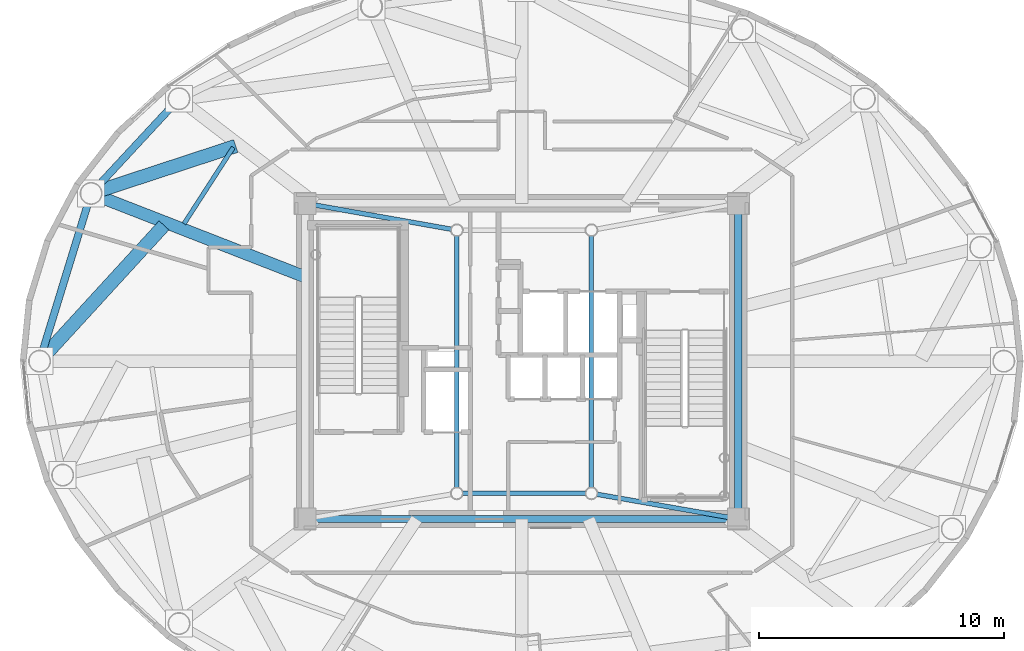
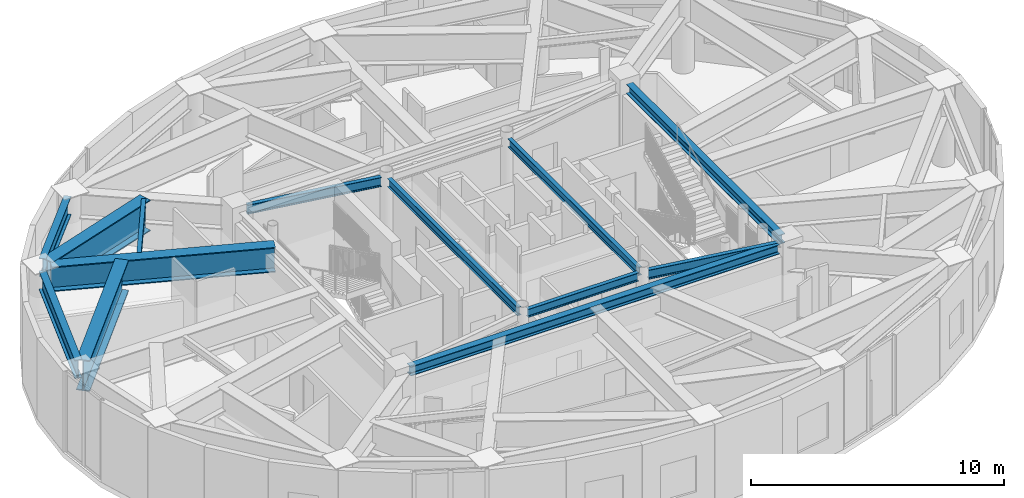
# One storey, part 7 of 23: 13 beams.
"""IFC4 building model written with IfcOpenShell, lengths in metres."""

from ifc_helpers import new_model, si_unit, direction, frame, origin, origin_2d, place, context, subcontext, project, spatial, i_section, extrude, material, material_profile, profile_set, type_object, element, save


model = new_model("IFC4")

# Units and contexts
model_context = context("Model", 3, precision=1e-05, world=origin(), true_north=direction((0.0, 1.0)))
body_context = subcontext(model_context, "Body", "Model", "MODEL_VIEW")
ifc_project = project(units=[si_unit("LENGTHUNIT", "METRE"), si_unit("AREAUNIT", "SQUARE_METRE"), si_unit("VOLUMEUNIT", "CUBIC_METRE"), si_unit("PLANEANGLEUNIT", "RADIAN"), si_unit("MASSUNIT", "GRAM", prefix="KILO")], contexts=[model_context])

# Site, building, storey
site_placement = place(None, origin())
site = spatial("IfcSite", under=ifc_project, at=site_placement, CompositionType="ELEMENT")
building_placement = place(site_placement, origin())
building = spatial("IfcBuilding", under=site, at=building_placement, Name="Linh Dai School and Residence Tower", CompositionType="ELEMENT")
storey_placement = place(building_placement, frame((0.0, 0.0, 359.39990234375)))
storey = spatial("IfcBuildingStorey", under=building, at=storey_placement, Name="L89", CompositionType="ELEMENT", Elevation=359.39990234375)

# Beams
ifc_material = material(Name="Structural Steel S355JR", Category="steel")
ifc_material_profile_1 = material_profile(ifc_material, i_section(OverallWidth=0.300048828125, OverallDepth=0.449951171875, WebThickness=0.013916015625, FlangeThickness=0.02587890625, FilletRadius=0.027099609375, at=origin_2d()), Name="HEB 450")
ifc_profile_set_1 = profile_set([ifc_material_profile_1], Name="Structural Steel S355JR")
beam_type_1 = type_object("IfcBeamType", Name="BM-RG45", PredefinedType="BEAM", material=ifc_profile_set_1)
beam_1_placement = place(storey_placement, frame((27.570068359375, 20.550048828125, 3.675048828125), z_axis=(1.0, 0.0, 0.0), x_axis=(0.0, 1.0, 0.0)))
element("IfcBeam", 1, at=beam_1_placement, inside=storey, type_object=beam_type_1, Name="L89 Core Perimeter Coupling Girder 1", PredefinedType="BEAM", context=body_context, shape_type="SweptSolid", body=[
    extrude(i_section(OverallWidth=0.300048828125, OverallDepth=0.449951171875, WebThickness=0.013916015625, FlangeThickness=0.02587890625, FilletRadius=0.027099609375, at=origin_2d()), origin(), (0.0, 0.0, 1.0), 16.85986328125),
])
beam_2_placement = place(storey_placement, frame((44.85009765625, 20.969970703125, 3.675048828125), z_axis=(0.0, 1.0, 0.0), x_axis=(-1.0, 0.0, 0.0)))
element("IfcBeam", 2, at=beam_2_placement, inside=storey, type_object=beam_type_1, Name="L89 Core Perimeter Coupling Girder 2", PredefinedType="BEAM", context=body_context, shape_type="SweptSolid", body=[
    extrude(i_section(OverallWidth=0.300048828125, OverallDepth=0.449951171875, WebThickness=0.013916015625, FlangeThickness=0.02587890625, FilletRadius=0.027099609375, at=origin_2d()), origin(), (0.0, 0.0, 1.0), 12.06005859375),
])
ifc_material_profile_2 = material_profile(ifc_material, i_section(OverallWidth=0.300048828125, OverallDepth=0.89990234375, WebThickness=0.0185546875, FlangeThickness=0.034912109375, FilletRadius=0.030029296875, at=origin_2d()), Name="HEB 900")
ifc_profile_set_2 = profile_set([ifc_material_profile_2], Name="Structural Steel S355JR")
beam_type_2 = type_object("IfcBeamType", Name="BM-RG9", PredefinedType="BEAM", material=ifc_profile_set_2)
beam_3_placement = place(storey_placement, frame((21.7119140625, 37.4150390625, 3.4501953125), z_axis=(-0.680339330162, -0.732897261446, 0.0), x_axis=(0.732897261446, -0.680339330162, 0.0)))
element("IfcBeam", 3, at=beam_3_placement, inside=storey, type_object=beam_type_2, Name="L89 Perimeter Elliptical Ring Beam 07", PredefinedType="BEAM", context=body_context, shape_type="SweptSolid", body=[
    extrude(i_section(OverallWidth=0.300048828125, OverallDepth=0.89990234375, WebThickness=0.0185546875, FlangeThickness=0.034912109375, FilletRadius=0.030029296875, at=origin_2d()), origin(), (0.0, 0.0, 1.0), 4.440673828125),
])
beam_4_placement = place(storey_placement, frame((18.281494140625, 33.451171875, 3.4501953125), z_axis=(-0.293606003102, -0.955926521728, 0.0), x_axis=(0.955926521728, -0.293606003102, 0.0)))
element("IfcBeam", 4, at=beam_4_placement, inside=storey, type_object=beam_type_2, Name="L89 Perimeter Elliptical Ring Beam 08", PredefinedType="BEAM", context=body_context, shape_type="SweptSolid", body=[
    extrude(i_section(OverallWidth=0.300048828125, OverallDepth=0.89990234375, WebThickness=0.0185546875, FlangeThickness=0.034912109375, FilletRadius=0.030029296875, at=origin_2d()), origin(), (0.0, 0.0, 1.0), 6.32861328125),
])
ifc_material_profile_3 = material_profile(ifc_material, i_section(OverallWidth=0.179931640625, OverallDepth=0.39990234375, WebThickness=0.008544921875, FlangeThickness=0.013427734375, FilletRadius=0.02099609375, at=origin_2d()), Name="IPE 400")
ifc_profile_set_3 = profile_set([ifc_material_profile_3], Name="Structural Steel S355JR")
beam_type_3 = type_object("IfcBeamType", Name="BM-SB40", PredefinedType="BEAM", material=ifc_profile_set_3)
beam_5_placement = place(storey_placement, frame((33.573974609375, 21.60009765625, 3.7001953125), z_axis=(1.0, 0.0, 0.0), x_axis=(0.0, 1.0, 0.0)))
element("IfcBeam", 5, at=beam_5_placement, inside=storey, type_object=beam_type_3, Name="L89 Core Mast Pier Tie Beam 1", PredefinedType="BEAM", context=body_context, shape_type="SweptSolid", body=[
    extrude(i_section(OverallWidth=0.179931640625, OverallDepth=0.39990234375, WebThickness=0.008544921875, FlangeThickness=0.013427734375, FilletRadius=0.02099609375, at=origin_2d()), origin(), (0.0, 0.0, 1.0), 5.052001953125),
])
for number, where, z_axis, x_axis, name in (
    (6, (38.85009765625, 21.823974609375, 3.7001953125), (0.0, 1.0, 0.0), (-1.0, 0.0, 0.0), "L89 Core Mast Pier Tie Beam 2"),
    (7, (33.35009765625, 32.1259765625, 3.7001953125), (0.0, -1.0, 0.0), (1.0, 0.0, 0.0), "L89 Core Mast Pier Tie Beam 4"),
):
    element("IfcBeam", number, at=place(storey_placement, frame(where, z_axis=z_axis, x_axis=x_axis)), inside=storey, type_object=beam_type_3, Name=name, PredefinedType="BEAM", context=body_context, shape_type="SweptSolid", body=[
        extrude(i_section(OverallWidth=0.179931640625, OverallDepth=0.39990234375, WebThickness=0.008544921875, FlangeThickness=0.013427734375, FilletRadius=0.02099609375, at=origin_2d()), origin(), (0.0, 0.0, 1.0), 10.302001953125),
    ])
beam_6_placement = place(storey_placement, frame((24.21630859375, 35.73486328125, 3.7001953125), z_axis=(-0.542318554495, -0.840172949726, 0.0), x_axis=(0.840172949726, -0.542318554495, 0.0)))
element("IfcBeam", 8, at=beam_6_placement, inside=storey, type_object=beam_type_3, Name="L89 Secondary Circumferential Floor Beam 04", PredefinedType="BEAM", context=body_context, shape_type="SweptSolid", body=[
    extrude(i_section(OverallWidth=0.179931640625, OverallDepth=0.39990234375, WebThickness=0.008544921875, FlangeThickness=0.013427734375, FilletRadius=0.02099609375, at=origin_2d()), origin(), (0.0, 0.0, 1.0), 3.713134765625),
])
ifc_material_profile_4 = material_profile(ifc_material, i_section(OverallWidth=0.18994140625, OverallDepth=0.449951171875, WebThickness=0.009521484375, FlangeThickness=0.0146484375, FilletRadius=0.02099609375, at=origin_2d()), Name="IPE 450")
ifc_profile_set_4 = profile_set([ifc_material_profile_4], Name="Structural Steel S355JR")
beam_type_4 = type_object("IfcBeamType", Name="BM-SB45", PredefinedType="BEAM", material=ifc_profile_set_4)
beam_7_placement = place(storey_placement, frame((44.436279296875, 20.622314453125, 3.675048828125), z_axis=(-0.985031608673, 0.17237380867, 0.0), x_axis=(-0.17237380867, -0.985031608673, 0.0)))
element("IfcBeam", 9, at=beam_7_placement, inside=storey, type_object=beam_type_4, Name="L89 Core Corner-to-Mast Pier Beam 2", PredefinedType="BEAM", context=body_context, shape_type="SweptSolid", body=[
    extrude(i_section(OverallWidth=0.18994140625, OverallDepth=0.449951171875, WebThickness=0.009521484375, FlangeThickness=0.0146484375, FilletRadius=0.02099609375, at=origin_2d()), origin(), (0.0, 0.0, 1.0), 5.447265625),
])
beam_8_placement = place(storey_placement, frame((27.5634765625, 33.376708984375, 3.675048828125), z_axis=(0.984621828197, -0.174699328672, 0.0), x_axis=(0.174699328672, 0.984621828197, 0.0)))
element("IfcBeam", 10, at=beam_8_placement, inside=storey, type_object=beam_type_4, Name="L89 Core Corner-to-Mast Pier Beam 4", PredefinedType="BEAM", context=body_context, shape_type="SweptSolid", body=[
    extrude(i_section(OverallWidth=0.18994140625, OverallDepth=0.449951171875, WebThickness=0.009521484375, FlangeThickness=0.0146484375, FilletRadius=0.02099609375, at=origin_2d()), origin(), (0.0, 0.0, 1.0), 5.65283203125),
])
ifc_material_profile_5 = material_profile(ifc_material, i_section(OverallWidth=0.5, OverallDepth=1.199951171875, WebThickness=0.02392578125, FlangeThickness=0.044921875, at=origin_2d()), Name="PG 1200x500x24x45")
ifc_profile_set_5 = profile_set([ifc_material_profile_5], Name="Structural Steel S355JR")
beam_type_5 = type_object("IfcBeamType", Name="BM-TG12", PredefinedType="BEAM", material=ifc_profile_set_5)
beam_9_placement = place(storey_placement, frame((27.14990234375, 30.44677734375, 3.300048828125), z_axis=(-0.931822607816, 0.362914077384, 0.0), x_axis=(-0.362914077384, -0.931822607816, 0.0)))
element("IfcBeam", 11, at=beam_9_placement, inside=storey, type_object=beam_type_5, Name="L89 Radial Setback Transfer Girder 08", PredefinedType="BEAM", context=body_context, shape_type="SweptSolid", body=[
    extrude(i_section(OverallWidth=0.5, OverallDepth=1.199951171875, WebThickness=0.02392578125, FlangeThickness=0.044921875, at=origin_2d()), origin(), (0.0, 0.0, 1.0), 8.964599609375),
])
ifc_material_profile_6 = material_profile(ifc_material, i_section(OverallWidth=0.550048828125, OverallDepth=1.5, WebThickness=0.028076171875, FlangeThickness=0.050048828125, at=origin_2d()), Name="PG 1500x550x28x50")
ifc_profile_set_6 = profile_set([ifc_material_profile_6], Name="Structural Steel S355JR")
beam_type_6 = type_object("IfcBeamType", Name="BM-TG15", PredefinedType="BEAM", material=ifc_profile_set_6)
beam_10_placement = place(storey_placement, frame((24.315673828125, 35.791259765625, 3.150146484375), z_axis=(-0.950191745161, -0.31166592279, 0.0), x_axis=(0.31166592279, -0.950191745161, 0.0)))
element("IfcBeam", 12, at=beam_10_placement, inside=storey, type_object=beam_type_6, Name="L89 Setback Diaphragm Transfer Girder 07", PredefinedType="BEAM", context=body_context, shape_type="SweptSolid", body=[
    extrude(i_section(OverallWidth=0.550048828125, OverallDepth=1.5, WebThickness=0.028076171875, FlangeThickness=0.050048828125, at=origin_2d()), origin(), (0.0, 0.0, 1.0), 5.800537109375),
])
beam_11_placement = place(storey_placement, frame((21.38427734375, 32.550537109375, 3.150146484375), z_axis=(-0.675460140719, -0.73739650006, 0.0), x_axis=(0.73739650006, -0.675460140719, 0.0)))
element("IfcBeam", 13, at=beam_11_placement, inside=storey, type_object=beam_type_6, Name="L89 Setback Diaphragm Transfer Girder 08", PredefinedType="BEAM", context=body_context, shape_type="SweptSolid", body=[
    extrude(i_section(OverallWidth=0.550048828125, OverallDepth=1.5, WebThickness=0.028076171875, FlangeThickness=0.050048828125, at=origin_2d()), origin(), (0.0, 0.0, 1.0), 7.107177734375),
])

save(model, "model.ifc")
